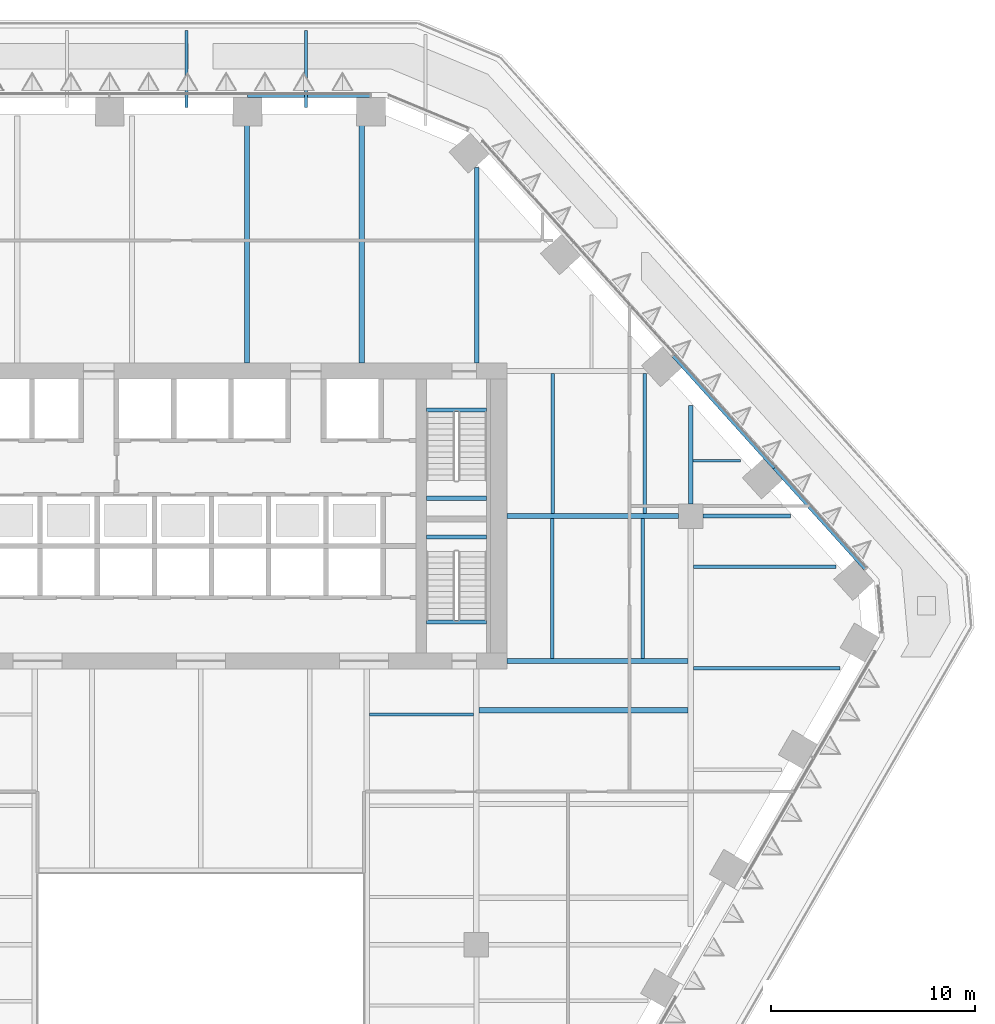
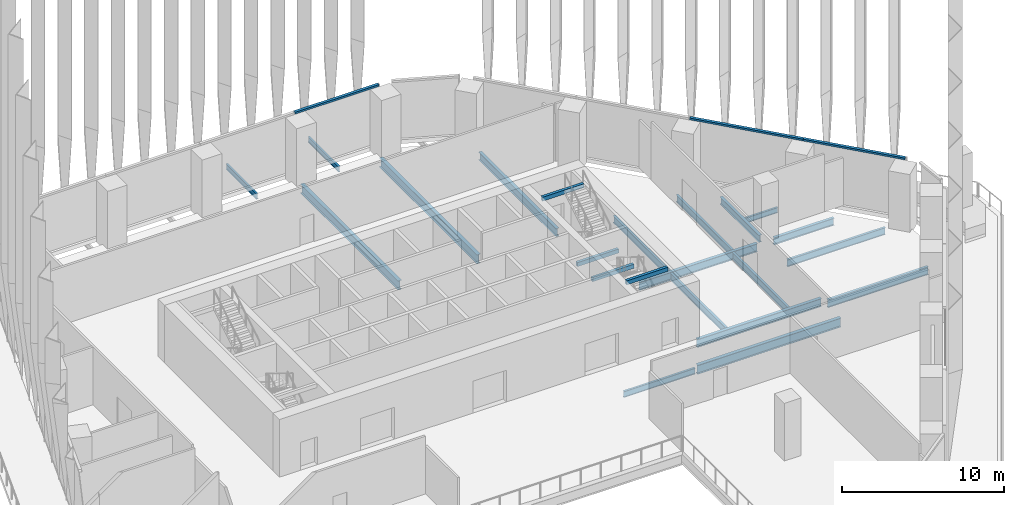
# One storey, part 9 of 27: 22 beams, 3 members, 2 elements without a shape of their own.
"""IFC4 building model written with IfcOpenShell, lengths in metres."""

from ifc_helpers import new_model, si_unit, direction, frame, origin, origin_2d, place, context, subcontext, project, spatial, rectangle, i_section, extrude, material, layer, layer_set, material_profile, profile_set, type_object, element, aggregate, save


model = new_model("IFC4")

# Units and contexts
model_context = context("Model", 3, precision=1e-05, world=origin(), true_north=direction((0.0, 1.0)))
body_context = subcontext(model_context, "Body", "Model", "MODEL_VIEW")
ifc_project = project(units=[si_unit("LENGTHUNIT", "METRE"), si_unit("AREAUNIT", "SQUARE_METRE"), si_unit("VOLUMEUNIT", "CUBIC_METRE"), si_unit("PLANEANGLEUNIT", "RADIAN"), si_unit("MASSUNIT", "GRAM", prefix="KILO")], contexts=[model_context])

# Site, building, storey
site_placement = place(None, origin())
site = spatial("IfcSite", under=ifc_project, at=site_placement, CompositionType="ELEMENT")
building_placement = place(site_placement, origin())
building = spatial("IfcBuilding", under=site, at=building_placement, Name="Isthmus Gate Tower", CompositionType="ELEMENT")
storey_placement = place(building_placement, frame((0.0, 0.0, 121.64990234375)))
storey = spatial("IfcBuildingStorey", under=building, at=storey_placement, Name="L29", CompositionType="ELEMENT", Elevation=121.64990234375)

# Curtain wall, member
ifc_material_1 = material(Name="Aluminium, pale champagne anodised", Category="aluminium")
ifc_layer = layer(ifc_material_1, 0.199951171875)
ifc_layer_set = layer_set([ifc_layer], Name="CW-1 UNITISED CURTAIN WALL 200 DEEP")
curtain_wall_type = type_object("IfcCurtainWallType", Name="CW-1 UNITISED CURTAIN WALL 200 DEEP", PredefinedType="NOTDEFINED", material=ifc_layer_set)
curtain_wall_1_placement = place(storey_placement, origin())
curtain_wall_1 = element("IfcCurtainWall", 1, at=curtain_wall_1_placement, inside=storey, type_object=curtain_wall_type, Name="CW-1 N L29", PredefinedType="NOTDEFINED")
ifc_material_2 = material(Name="Aluminium, pale champagne anodised", Category="aluminium")
ifc_material_profile_1 = material_profile(ifc_material_2, rectangle(XDim=0.199951171875, YDim=0.139892578125, at=origin_2d()), Name="200x140")
ifc_profile_set_1 = profile_set([ifc_material_profile_1], Name="Aluminium, pale champagne anodised")
member_type = type_object("IfcMemberType", Name="CW-1 TRANSOM 200 X 140", PredefinedType="USERDEFINED", material=ifc_profile_set_1)
member_1_placement = place(storey_placement, frame((8.278564453125, 28.10009765625, 4.43017578125), z_axis=(-1.0, 0.0, 0.0), x_axis=(0.0, -1.0, 0.0)))
member_1 = element("IfcMember", 2, at=member_1_placement, type_object=member_type, Name="CW-1 transom", ObjectType="TRANSOM", PredefinedType="USERDEFINED", context=body_context, shape_type="SweptSolid", body=[
    extrude(rectangle(XDim=0.199951171875, YDim=0.139892578125, at=origin_2d()), origin(), (0.0, 0.0, 1.0), 5.990234375),
])
aggregate(curtain_wall_1, [member_1])

# Curtain wall, members
curtain_wall_2_placement = place(storey_placement, origin())
curtain_wall_2 = element("IfcCurtainWall", 3, at=curtain_wall_2_placement, inside=storey, type_object=curtain_wall_type, Name="CW-1 NE L29", PredefinedType="NOTDEFINED")
member_2_placement = place(storey_placement, frame((32.54931640625, 4.930908203125, 4.43017578125), z_axis=(-0.669153891975, 0.743123858354, 0.0), x_axis=(-0.743123858354, -0.669153891975, 0.0)))
member_2 = element("IfcMember", 4, at=member_2_placement, type_object=member_type, Name="CW-1 transom", ObjectType="TRANSOM", PredefinedType="USERDEFINED", context=body_context, shape_type="SweptSolid", body=[
    extrude(rectangle(XDim=0.199951171875, YDim=0.139892578125, at=origin_2d()), origin(), (0.0, 0.0, 1.0), 6.630859375),
])
member_3_placement = place(storey_placement, frame((28.1123046875, 9.8583984375, 4.43017578125), z_axis=(-0.669123495435, 0.74315122812, 0.0), x_axis=(-0.74315122812, -0.669123495435, 0.0)))
member_3 = element("IfcMember", 5, at=member_3_placement, type_object=member_type, Name="CW-1 transom", ObjectType="TRANSOM", PredefinedType="USERDEFINED", context=body_context, shape_type="SweptSolid", body=[
    extrude(rectangle(XDim=0.199951171875, YDim=0.139892578125, at=origin_2d()), origin(), (0.0, 0.0, 1.0), 7.390625),
])
aggregate(curtain_wall_2, [member_2, member_3])

# Beams
ifc_material_3 = material(Name="Concrete f'c 40 MPa", Category="concrete")
ifc_material_profile_2 = material_profile(ifc_material_3, rectangle(XDim=0.199951171875, YDim=0.300048828125, at=origin_2d()), Name="STAIR LANDING BEAM RC 200 X 300")
ifc_profile_set_2 = profile_set([ifc_material_profile_2], Name="Concrete f'c 40 MPa")
beam_type_1 = type_object("IfcBeamType", Name="STAIR LANDING BEAM RC 200 X 300", PredefinedType="BEAM", material=ifc_profile_set_2)
for number, where, z_axis, x_axis, name in (
    (6, (11.050048828125, 8.3701171875, 1.900146484375), (1.0, 0.0, 0.0), (0.0, 1.0, 0.0), "L29 ST2 landing beam 1"),
    (7, (11.050048828125, 12.7001953125, 4.2001953125), (1.0, 0.0, 0.0), (0.0, 1.0, 0.0), "L29 ST2 floor-edge seat beam"),
    (8, (11.050048828125, 6.47998046875, 1.900146484375), (1.0, 0.0, 0.0), (0.0, 1.0, 0.0), "L29 ST8 landing beam 1"),
    (9, (11.050048828125, 2.2998046875, 4.2001953125), (1.0, 0.0, 0.0), (0.0, 1.0, 0.0), "L29 ST8 floor-edge seat beam"),
):
    element("IfcBeam", number, at=place(storey_placement, frame(where, z_axis=z_axis, x_axis=x_axis)), inside=storey, type_object=beam_type_1, Name=name, PredefinedType="BEAM", context=body_context, shape_type="SweptSolid", body=[
        extrude(rectangle(XDim=0.199951171875, YDim=0.300048828125, at=origin_2d()), origin(), (0.0, 0.0, 1.0), 2.949951171875),
    ])
ifc_material_4 = material(Name="Structural steel ASTM A992 Gr 50", Category="steel")
ifc_material_profile_3 = material_profile(ifc_material_4, i_section(OverallWidth=0.1396484375, OverallDepth=0.4033203125, WebThickness=0.00634765625, FlangeThickness=0.010986328125, at=origin_2d()), Name="W16X31")
ifc_profile_set_3 = profile_set([ifc_material_profile_3], Name="Structural steel ASTM A992 Gr 50")
beam_type_2 = type_object("IfcBeamType", Name="STEEL FLOOR BEAM W16X31", PredefinedType="JOIST", material=ifc_profile_set_3)
beam_1_placement = place(storey_placement, frame((24.104736328125, 10.206298828125, -0.50146484375), z_axis=(1.0, 0.0, 0.0), x_axis=(0.0, 1.0, 0.0)))
element("IfcBeam", 10, at=beam_1_placement, inside=storey, type_object=beam_type_2, Name="str-beam-L29-15-00", PredefinedType="JOIST", context=body_context, shape_type="SweptSolid", body=[
    extrude(i_section(OverallWidth=0.1396484375, OverallDepth=0.4033203125, WebThickness=0.00634765625, FlangeThickness=0.010986328125, at=origin_2d()), origin(), (0.0, 0.0, 1.0), 2.34228515625),
])
ifc_material_5 = material(Name="Structural steel ASTM A992 Gr 50", Category="steel")
ifc_material_profile_4 = material_profile(ifc_material_5, i_section(OverallWidth=0.15234375, OverallDepth=0.45068359375, WebThickness=0.0078125, FlangeThickness=0.010986328125, at=origin_2d()), Name="W18X35")
ifc_profile_set_4 = profile_set([ifc_material_profile_4], Name="Structural steel ASTM A992 Gr 50")
beam_type_3 = type_object("IfcBeamType", Name="STEEL FLOOR BEAM W18X35", PredefinedType="JOIST", material=ifc_profile_set_4)
beam_2_placement = place(storey_placement, frame((8.263427734375, -2.232421875, -0.525390625), z_axis=(1.0, 0.0, 0.0), x_axis=(0.0, 1.0, 0.0)))
element("IfcBeam", 11, at=beam_2_placement, inside=storey, type_object=beam_type_3, Name="str-beam-L29-10-02", PredefinedType="JOIST", context=body_context, shape_type="SweptSolid", body=[
    extrude(i_section(OverallWidth=0.15234375, OverallDepth=0.45068359375, WebThickness=0.0078125, FlangeThickness=0.010986328125, at=origin_2d()), origin(), (0.0, 0.0, 1.0), 5.104736328125),
])
ifc_material_6 = material(Name="Structural steel ASTM A992 Gr 50", Category="steel")
ifc_material_profile_5 = material_profile(ifc_material_6, i_section(OverallWidth=0.1650390625, OverallDepth=0.52392578125, WebThickness=0.009521484375, FlangeThickness=0.010986328125, at=origin_2d()), Name="W21X44")
ifc_profile_set_5 = profile_set([ifc_material_profile_5], Name="Structural steel ASTM A992 Gr 50")
beam_type_4 = type_object("IfcBeamType", Name="STEEL FLOOR BEAM W21X44", PredefinedType="JOIST", material=ifc_profile_set_5)
for number, where, z_axis, x_axis, name in (
    (12, (17.25, 7.6142578125, -0.561767578125), (0.0, 1.0, 0.0), (-1.0, 0.0, 0.0), "str-beam-L29-13-00"),
    (13, (21.75, 7.6142578125, -0.561767578125), (0.0, 1.0, 0.0), (-1.0, 0.0, 0.0), "str-beam-L29-13-01"),
    (14, (17.216552734375, 0.514404296875, -0.561767578125), (0.0, 1.0, 0.0), (-1.0, 0.0, 0.0), "str-beam-L29-14-00"),
    (15, (21.64990234375, 0.514404296875, -0.561767578125), (0.0, 1.0, 0.0), (-1.0, 0.0, 0.0), "str-beam-L29-14-01"),
):
    element("IfcBeam", number, at=place(storey_placement, frame(where, z_axis=z_axis, x_axis=x_axis)), inside=storey, type_object=beam_type_4, Name=name, PredefinedType="JOIST", context=body_context, shape_type="SweptSolid", body=[
        extrude(i_section(OverallWidth=0.1650390625, OverallDepth=0.52392578125, WebThickness=0.009521484375, FlangeThickness=0.010986328125, at=origin_2d()), origin(), (0.0, 0.0, 1.0), 6.871337890625),
    ])
beam_3_placement = place(storey_placement, frame((24.13330078125, 5.013671875, -0.561767578125), z_axis=(1.0, 0.0, 0.0), x_axis=(0.0, 1.0, 0.0)))
element("IfcBeam", 16, at=beam_3_placement, inside=storey, type_object=beam_type_4, Name="str-beam-L29-16-02", PredefinedType="JOIST", context=body_context, shape_type="SweptSolid", body=[
    extrude(i_section(OverallWidth=0.1650390625, OverallDepth=0.52392578125, WebThickness=0.009521484375, FlangeThickness=0.010986328125, at=origin_2d()), origin(), (0.0, 0.0, 1.0), 6.9892578125),
])
ifc_material_7 = material(Name="Structural steel ASTM A992 Gr 50", Category="steel")
ifc_material_profile_6 = material_profile(ifc_material_7, i_section(OverallWidth=0.177734375, OverallDepth=0.60009765625, WebThickness=0.009521484375, FlangeThickness=0.0126953125, at=origin_2d()), Name="W24X55")
ifc_profile_set_6 = profile_set([ifc_material_profile_6], Name="Structural steel ASTM A992 Gr 50")
beam_type_5 = type_object("IfcBeamType", Name="STEEL FLOOR BEAM W24X55", PredefinedType="JOIST", material=ifc_profile_set_6)
beam_4_placement = place(storey_placement, frame((24.13330078125, 0.041259765625, -0.599853515625), z_axis=(1.0, 0.0, 0.0), x_axis=(0.0, 1.0, 0.0)))
element("IfcBeam", 17, at=beam_4_placement, inside=storey, type_object=beam_type_5, Name="str-beam-L29-16-01", PredefinedType="JOIST", context=body_context, shape_type="SweptSolid", body=[
    extrude(i_section(OverallWidth=0.177734375, OverallDepth=0.60009765625, WebThickness=0.009521484375, FlangeThickness=0.0126953125, at=origin_2d()), origin(), (0.0, 0.0, 1.0), 7.17724609375),
])
ifc_material_8 = material(Name="Structural steel ASTM A992 Gr 50", Category="steel")
ifc_material_profile_7 = material_profile(ifc_material_8, i_section(OverallWidth=0.228515625, OverallDepth=0.603271484375, WebThickness=0.010986328125, FlangeThickness=0.014404296875, at=origin_2d()), Name="W24X68")
ifc_profile_set_7 = profile_set([ifc_material_profile_7], Name="Structural steel ASTM A992 Gr 50")
beam_type_6 = type_object("IfcBeamType", Name="STEEL FLOOR BEAM W24X68", PredefinedType="JOIST", material=ifc_profile_set_7)
beam_5_placement = place(storey_placement, frame((13.51123046875, 15.0, -0.6015625), z_axis=(0.0, 1.0, 0.0), x_axis=(-1.0, 0.0, 0.0)))
element("IfcBeam", 18, at=beam_5_placement, inside=storey, type_object=beam_type_6, Name="str-beam-L29-05-06", PredefinedType="JOIST", context=body_context, shape_type="SweptSolid", body=[
    extrude(i_section(OverallWidth=0.228515625, OverallDepth=0.603271484375, WebThickness=0.010986328125, FlangeThickness=0.014404296875, at=origin_2d()), origin(), (0.0, 0.0, 1.0), 9.572998046875),
])
ifc_material_9 = material(Name="Structural steel ASTM A992 Gr 50", Category="steel")
ifc_material_profile_8 = material_profile(ifc_material_9, i_section(OverallWidth=0.25390625, OverallDepth=0.679443359375, WebThickness=0.010986328125, FlangeThickness=0.015869140625, at=origin_2d()), Name="W27X84")
ifc_profile_set_8 = profile_set([ifc_material_profile_8], Name="Structural steel ASTM A992 Gr 50")
beam_type_7 = type_object("IfcBeamType", Name="STEEL FLOOR BEAM W27X84", PredefinedType="JOIST", material=ifc_profile_set_8)
for number, where, z_axis, x_axis, name in (
    (19, (2.2568359375, 15.0, -0.6396484375), (0.0, 1.0, 0.0), (-1.0, 0.0, 0.0), "str-beam-L29-05-04"),
    (20, (7.884033203125, 15.0, -0.6396484375), (0.0, 1.0, 0.0), (-1.0, 0.0, 0.0), "str-beam-L29-05-05"),
):
    element("IfcBeam", number, at=place(storey_placement, frame(where, z_axis=z_axis, x_axis=x_axis)), inside=storey, type_object=beam_type_7, Name=name, PredefinedType="JOIST", context=body_context, shape_type="SweptSolid", body=[
        extrude(i_section(OverallWidth=0.25390625, OverallDepth=0.679443359375, WebThickness=0.010986328125, FlangeThickness=0.015869140625, at=origin_2d()), origin(), (0.0, 0.0, 1.0), 12.09521484375),
    ])
beam_6_placement = place(storey_placement, frame((13.6318359375, -2.011962890625, -0.6396484375), z_axis=(1.0, 0.0, 0.0), x_axis=(0.0, 1.0, 0.0)))
element("IfcBeam", 21, at=beam_6_placement, inside=storey, type_object=beam_type_7, Name="str-beam-L29-12-02", PredefinedType="JOIST", context=body_context, shape_type="SweptSolid", body=[
    extrude(i_section(OverallWidth=0.25390625, OverallDepth=0.679443359375, WebThickness=0.010986328125, FlangeThickness=0.015869140625, at=origin_2d()), origin(), (0.0, 0.0, 1.0), 10.23486328125),
])
ifc_material_10 = material(Name="Structural steel ASTM A992 Gr 50", Category="steel")
ifc_material_profile_9 = material_profile(ifc_material_10, i_section(OverallWidth=0.20947265625, OverallDepth=0.533447265625, WebThickness=0.009521484375, FlangeThickness=0.015869140625, at=origin_2d()), Name="W21X62")
ifc_profile_set_9 = profile_set([ifc_material_profile_9], Name="Structural steel ASTM A992 Gr 50")
beam_type_8 = type_object("IfcBeamType", Name="STEEL GIRDER W21X62", PredefinedType="BEAM", material=ifc_profile_set_9)
beam_7_placement = place(storey_placement, frame((24.60009765625, 7.5, -0.566650390625), z_axis=(1.0, 0.0, 0.0), x_axis=(0.0, 1.0, 0.0)))
element("IfcBeam", 22, at=beam_7_placement, inside=storey, type_object=beam_type_8, Name="str-girder-L29-06", PredefinedType="BEAM", context=body_context, shape_type="SweptSolid", body=[
    extrude(i_section(OverallWidth=0.20947265625, OverallDepth=0.533447265625, WebThickness=0.009521484375, FlangeThickness=0.015869140625, at=origin_2d()), origin(), (0.0, 0.0, 1.0), 4.28369140625),
])
beam_8_placement = place(storey_placement, frame((24.0, 8.10009765625, -0.566650390625), z_axis=(0.0, 1.0, 0.0), x_axis=(-1.0, 0.0, 0.0)))
element("IfcBeam", 23, at=beam_8_placement, inside=storey, type_object=beam_type_8, Name="str-girder-L29-12", PredefinedType="BEAM", context=body_context, shape_type="SweptSolid", body=[
    extrude(i_section(OverallWidth=0.20947265625, OverallDepth=0.533447265625, WebThickness=0.009521484375, FlangeThickness=0.015869140625, at=origin_2d()), origin(), (0.0, 0.0, 1.0), 4.823974609375),
])
ifc_material_11 = material(Name="Structural steel ASTM A992 Gr 50", Category="steel")
ifc_material_profile_10 = material_profile(ifc_material_11, i_section(OverallWidth=0.228515625, OverallDepth=0.6064453125, WebThickness=0.010986328125, FlangeThickness=0.017578125, at=origin_2d()), Name="W24X76")
ifc_profile_set_10 = profile_set([ifc_material_profile_10], Name="Structural steel ASTM A992 Gr 50")
beam_type_9 = type_object("IfcBeamType", Name="STEEL GIRDER W24X76", PredefinedType="BEAM", material=ifc_profile_set_10)
beam_9_placement = place(storey_placement, frame((15.0, 7.5, -0.60302734375), z_axis=(1.0, 0.0, 0.0), x_axis=(0.0, 1.0, 0.0)))
element("IfcBeam", 24, at=beam_9_placement, inside=storey, type_object=beam_type_9, Name="str-girder-L29-05", PredefinedType="BEAM", context=body_context, shape_type="SweptSolid", body=[
    extrude(i_section(OverallWidth=0.228515625, OverallDepth=0.6064453125, WebThickness=0.010986328125, FlangeThickness=0.017578125, at=origin_2d()), origin(), (0.0, 0.0, 1.0), 8.39990234375),
])
beam_10_placement = place(storey_placement, frame((15.0, 0.39990234375, -0.60302734375), z_axis=(1.0, 0.0, 0.0), x_axis=(0.0, 1.0, 0.0)))
element("IfcBeam", 25, at=beam_10_placement, inside=storey, type_object=beam_type_9, Name="str-girder-L29-14", PredefinedType="BEAM", context=body_context, shape_type="SweptSolid", body=[
    extrude(i_section(OverallWidth=0.228515625, OverallDepth=0.6064453125, WebThickness=0.010986328125, FlangeThickness=0.017578125, at=origin_2d()), origin(), (0.0, 0.0, 1.0), 8.86669921875),
])
ifc_material_12 = material(Name="Structural steel ASTM A992 Gr 50", Category="steel")
ifc_material_profile_11 = material_profile(ifc_material_12, i_section(OverallWidth=0.1396484375, OverallDepth=0.4033203125, WebThickness=0.00634765625, FlangeThickness=0.010986328125, at=origin_2d()), Name="W16X31")
ifc_profile_set_11 = profile_set([ifc_material_profile_11], Name="Structural steel ASTM A992 Gr 50")
beam_type_10 = type_object("IfcBeamType", Name="STEEL LEDGE BEAM W16X31", PredefinedType="JOIST", material=ifc_profile_set_11)
for number, where, z_axis, x_axis, name in (
    (26, (-0.702392578125, 27.5048828125, -0.50146484375), (0.0, 1.0, 0.0), (-1.0, 0.0, 0.0), "str-ringbeam-L29-00-10"),
    (27, (5.15478515625, 27.5048828125, -0.50146484375), (0.0, 1.0, 0.0), (-1.0, 0.0, 0.0), "str-ringbeam-L29-00-12"),
):
    element("IfcBeam", number, at=place(storey_placement, frame(where, z_axis=z_axis, x_axis=x_axis)), inside=storey, type_object=beam_type_10, Name=name, PredefinedType="JOIST", context=body_context, shape_type="SweptSolid", body=[
        extrude(i_section(OverallWidth=0.1396484375, OverallDepth=0.4033203125, WebThickness=0.00634765625, FlangeThickness=0.010986328125, at=origin_2d()), origin(), (0.0, 0.0, 1.0), 3.78076171875),
    ])

save(model, "model.ifc")
